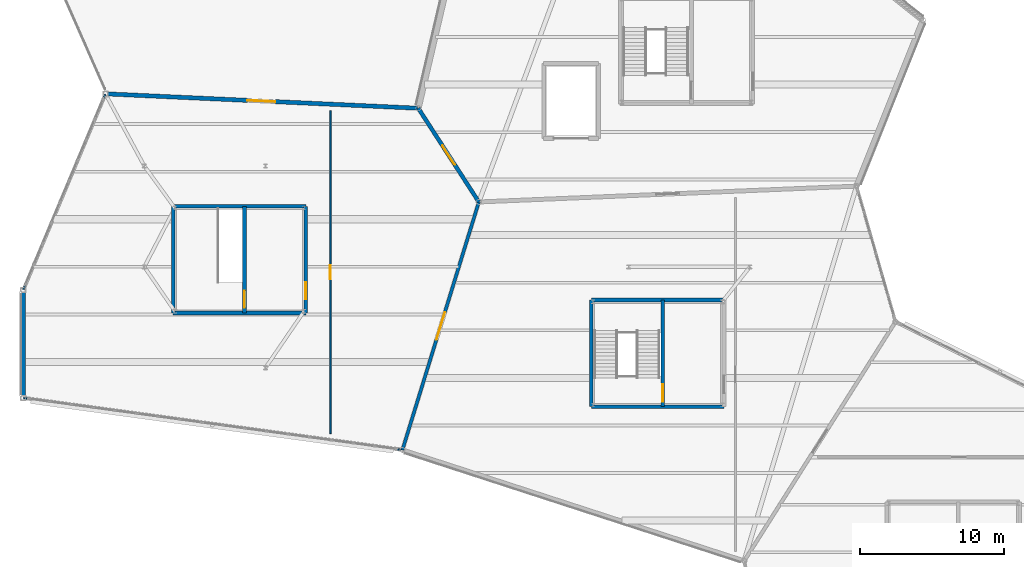
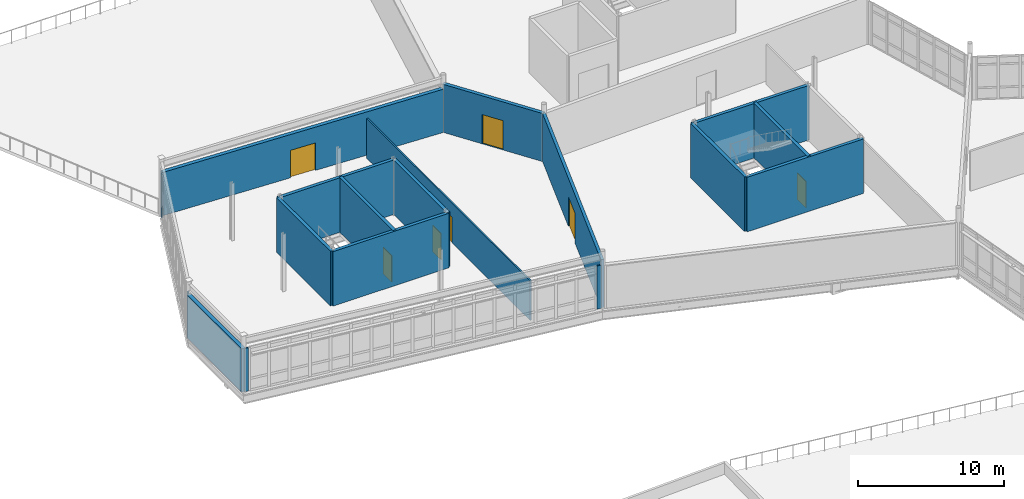
# One storey, part 93 of 114: 18 walls, 7 doors, 7 openings.
"""IFC4 building model written with IfcOpenShell, lengths in metres."""

import ifcopenshell
import ifcopenshell.guid

model = None  # the IFC model being written
_history = None  # IfcOwnerHistory: only IFC2X3 demands one
_inside = {}  # id of a spatial element -> (the spatial element, [elements in it])
_under = {}  # id of a project, library or spatial element -> (it, [spatial elements below it])
_declared = {}  # id of a project -> (the project, [libraries it declares])
_typed = {}  # id of a type object -> (the type object, [elements of that type])
_made_of = {}  # id of a material, layer set ... -> (it, [elements and type objects made of it])


def new_model(schema):
    """Start an empty IFC model of exactly this schema.

    Asked for "IFC4X3", IfcOpenShell would pick the latest addendum, in which some entities
    have other attributes; the version numbers below select the first issue.
    IFC2X3 requires an IfcOwnerHistory on every rooted entity: one is made here for all.
    """
    global model, _history
    if schema == "IFC4X3":
        model = ifcopenshell.file(schema_version=(4, 3, 0, 0))
    else:
        model = ifcopenshell.file(schema=schema)
    _inside.clear()
    _under.clear()
    _declared.clear()
    _typed.clear()
    _made_of.clear()
    _history = None
    if model.schema == "IFC2X3":
        org = make("IfcOrganization", Name="unknown")
        user = make(
            "IfcPersonAndOrganization",
            ThePerson=make("IfcPerson", FamilyName="unknown"),
            TheOrganization=org,
        )
        app = make(
            "IfcApplication",
            ApplicationDeveloper=org,
            Version="unknown",
            ApplicationFullName="unknown",
            ApplicationIdentifier="unknown",
        )
        _history = make(
            "IfcOwnerHistory",
            OwningUser=user,
            OwningApplication=app,
            ChangeAction="ADDED",
            CreationDate=0,
        )
    return model


def make(cls, **values):
    """One entity of the class cls with the attributes given. An attribute that is None is left unset."""
    return model.create_entity(
        cls, **{name: value for name, value in values.items() if value is not None}
    )


def rooted(cls, **values):
    """An entity with a GlobalId (a new one), such as an element, a storey or a relation."""
    return make(cls, GlobalId=ifcopenshell.guid.new(), OwnerHistory=_history, **values)


def si_unit(unit_type, name, prefix=None):
    """IfcSIUnit, for example si_unit("LENGTHUNIT", "METRE", prefix="MILLI")."""
    return make("IfcSIUnit", UnitType=unit_type, Prefix=prefix, Name=name)


def assignment(units):
    """IfcUnitAssignment: the units of a project."""
    return None if units is None else make("IfcUnitAssignment", Units=units)


def point(xyz):
    """IfcCartesianPoint."""
    return None if xyz is None else make("IfcCartesianPoint", Coordinates=xyz)


def direction(xyz):
    """IfcDirection."""
    return None if xyz is None else make("IfcDirection", DirectionRatios=xyz)


def frame(location, z_axis=None, x_axis=None):
    """IfcAxis2Placement3D, a coordinate frame: its origin and axes. An axis left out is left unset."""
    return make(
        "IfcAxis2Placement3D",
        Location=point(location),
        Axis=direction(z_axis),
        RefDirection=direction(x_axis),
    )


def frame_2d(location, x_axis=None):
    """IfcAxis2Placement2D, a coordinate frame in the plane: its origin and x axis."""
    return make(
        "IfcAxis2Placement2D", Location=point(location), RefDirection=direction(x_axis)
    )


def origin():
    """The frame at (0, 0, 0) with its axes left unset."""
    return frame((0.0, 0.0, 0.0))


def place(relative_to, where):
    """IfcLocalPlacement: puts the frame where relative to a parent placement (None: the world)."""
    return make(
        "IfcLocalPlacement", PlacementRelTo=relative_to, RelativePlacement=where
    )


def context(
    kind, dimensions, precision=None, world=None, true_north=None, identifier=None
):
    """IfcGeometricRepresentationContext, for example the 3D "Model" context."""
    return make(
        "IfcGeometricRepresentationContext",
        ContextIdentifier=identifier,
        ContextType=kind,
        CoordinateSpaceDimension=dimensions,
        Precision=precision,
        WorldCoordinateSystem=world,
        TrueNorth=true_north,
    )


def subcontext(parent, identifier, kind, view, scale=None):
    """IfcGeometricRepresentationSubContext, for example "Body" below "Model"."""
    return make(
        "IfcGeometricRepresentationSubContext",
        ContextIdentifier=identifier,
        ContextType=kind,
        ParentContext=parent,
        TargetScale=scale,
        TargetView=view,
    )


def project(units=None, contexts=None):
    """IfcProject with its units and contexts."""
    return rooted(
        "IfcProject",
        Name="project",
        RepresentationContexts=contexts,
        UnitsInContext=assignment(units),
    )


def spatial(cls, under=None, at=None, **own):
    """A site, building, storey or space (cls), placed at a placement, below another one or the project."""
    s = rooted(cls, ObjectPlacement=at, **own)
    if under is not None:
        _under.setdefault(under.id(), (under, []))[1].append(s)
    return s


def profile(cls, at=None, kind="AREA", **sizes):
    """A parametric profile (cls). Its sizes go by their IFC names, for example OverallWidth=200.0."""
    return make(cls, ProfileType=kind, Position=at, **sizes)


def rectangle(**sizes):
    """IfcRectangleProfileDef."""
    return profile("IfcRectangleProfileDef", **sizes)


def extrude(swept, where, along, depth):
    """IfcExtrudedAreaSolid: the profile swept, set in the frame where, extruded along a direction by depth."""
    return make(
        "IfcExtrudedAreaSolid",
        SweptArea=swept,
        Position=where,
        ExtrudedDirection=direction(along),
        Depth=depth,
    )


def shape(context_of_items, identifier, shape_type, items):
    """IfcShapeRepresentation: the items that make up one representation, for example the "Body"."""
    return make(
        "IfcShapeRepresentation",
        ContextOfItems=context_of_items,
        RepresentationIdentifier=identifier,
        RepresentationType=shape_type,
        Items=items,
    )


def material(Name=None, Category=None):
    """IfcMaterial."""
    return make("IfcMaterial", Name=Name, Category=Category)


def layer(
    of_material, thickness, ventilated=None, Name=None, Category=None, Priority=None
):
    """IfcMaterialLayer: one layer of a wall or slab, of a material (None: an air gap)."""
    return make(
        "IfcMaterialLayer",
        Material=of_material,
        LayerThickness=thickness,
        IsVentilated=ventilated,
        Name=Name,
        Category=Category,
        Priority=Priority,
    )


def layer_set(layers, Name=None):
    """IfcMaterialLayerSet."""
    return make("IfcMaterialLayerSet", MaterialLayers=layers, LayerSetName=Name)


def made_of(thing, what):
    """Note that an element or type object is made of a material, layer set ...; save() writes the relation."""
    if what is not None:
        _made_of.setdefault(what.id(), (what, []))[1].append(thing)
    return thing


def type_object(cls, material=None, **own):
    """A type object (cls), such as IfcWallType, which elements share."""
    return made_of(rooted(cls, **own), material)


def element(
    cls,
    number,
    at=None,
    inside=None,
    cuts=None,
    type_object=None,
    material=None,
    context=None,
    identifier="Body",
    shape_type=None,
    held_by="IfcProductDefinitionShape",
    body=None,
    shapes=None,
    **own,
):
    """One element of the class cls, such as IfcWall. Its Tag is "e" and its number.

    at: its placement. inside: the storey or other place that contains it. cuts: it is an
    opening in that element (IfcRelVoidsElement). A single representation is given by context,
    identifier, shape_type and body (its items); several are given by shapes. held_by: the class
    of the entity that holds the representations. save() writes the other relations.
    """
    e = rooted(cls, Tag="e%d" % number, ObjectPlacement=at, **own)
    if body is not None:
        shapes = [shape(context, identifier, shape_type, body)]
    if shapes is not None:
        e.Representation = make(held_by, Representations=shapes)
    if inside is not None:
        _inside.setdefault(inside.id(), (inside, []))[1].append(e)
    if cuts is not None:
        rooted(
            "IfcRelVoidsElement", RelatingBuildingElement=cuts, RelatedOpeningElement=e
        )
    if type_object is not None:
        _typed.setdefault(type_object.id(), (type_object, []))[1].append(e)
    return made_of(e, material)


def fill(opening, filler):
    """IfcRelFillsElement: the door or window that sits in an opening."""
    return rooted(
        "IfcRelFillsElement",
        RelatingOpeningElement=opening,
        RelatedBuildingElement=filler,
    )


def aggregate(whole, parts):
    """IfcRelAggregates: a whole, such as a stair, and the parts it consists of."""
    return rooted("IfcRelAggregates", RelatingObject=whole, RelatedObjects=parts)


def save(model, path):
    """Write the relations noted so far, then the file.

    IfcRelAggregates (storeys below a building ...), IfcRelContainedInSpatialStructure (elements
    in a storey), IfcRelDefinesByType, IfcRelAssociatesMaterial and IfcRelDeclares: one each for
    every whole, place, type object, material and project.
    """
    for whole, parts in _under.values():
        aggregate(whole, parts)
    for where, things in _inside.values():
        rooted(
            "IfcRelContainedInSpatialStructure",
            RelatedElements=things,
            RelatingStructure=where,
        )
    for kind, things in _typed.values():
        rooted("IfcRelDefinesByType", RelatedObjects=things, RelatingType=kind)
    for what, things in _made_of.values():
        rooted("IfcRelAssociatesMaterial", RelatedObjects=things, RelatingMaterial=what)
    for by, libraries in _declared.values():
        rooted("IfcRelDeclares", RelatingContext=by, RelatedDefinitions=libraries)
    model.write(path)


model = new_model("IFC4")

# Units and contexts
model_context = context("Model", 3, precision=1e-05, world=origin(), true_north=direction((0.0, 1.0)))
body_context = subcontext(model_context, "Body", "Model", "MODEL_VIEW")
ifc_project = project(units=[si_unit("LENGTHUNIT", "METRE"), si_unit("AREAUNIT", "SQUARE_METRE"), si_unit("VOLUMEUNIT", "CUBIC_METRE"), si_unit("PLANEANGLEUNIT", "RADIAN"), si_unit("MASSUNIT", "GRAM", prefix="KILO")], contexts=[model_context])

# Site, building, storey
site_placement = place(None, origin())
site = spatial("IfcSite", under=ifc_project, at=site_placement, CompositionType="ELEMENT")
building_placement = place(site_placement, origin())
building = spatial("IfcBuilding", under=site, at=building_placement, Name="Tameran Prism Museum", CompositionType="ELEMENT")
storey_placement = place(building_placement, frame((0.0, 0.0, 10.199951171875)))
storey = spatial("IfcBuildingStorey", under=building, at=storey_placement, Name="L02", CompositionType="ELEMENT", Elevation=10.199951171875)

# Walls
ifc_material_1 = material(Name="Precast Concrete N40 (40 MPa)", Category="concrete")
ifc_layer_1 = layer(ifc_material_1, 0.094970703125)
ifc_layer_set_1 = layer_set([ifc_layer_1])
wall_type_1 = type_object("IfcWallType", Name="EW-CLOS-095", PredefinedType="SOLIDWALL", material=ifc_layer_set_1)
for number, where, z_axis, x_axis, name in (
    (1, (26.198974609375, 64.31396484375, 0.0), (0.0, 0.0, 1.0), (-0.991074779294, 0.133307096014, 0.0), "Facade Corner Closure EW-0347"),
    (2, (0.346923828125, 67.85302734375, 0.0), (0.0, 0.0, 1.0), (-0.991074779294, 0.133307096014, 0.0), "Facade Corner Closure EW-0348"),
):
    element("IfcWall", number, at=place(storey_placement, frame(where, z_axis=z_axis, x_axis=x_axis)), inside=storey, type_object=wall_type_1, Name=name, PredefinedType="SOLIDWALL", context=body_context, shape_type="SweptSolid", body=[
        extrude(rectangle(XDim=0.3076171875, YDim=0.094970703125, at=frame_2d((0.15380859375, 0.0))), origin(), (0.0, 0.0, 1.0), 3.6201171875),
    ])
for number, where, z_axis, x_axis, name in (
    (3, (0.01611328125, 75.43896484375, 0.0), (0.0, 0.0, 1.0), (0.3862479465, 0.922394993387, 0.0), "Facade Corner Closure EW-0350"),
    (4, (5.56494140625, 88.677001953125, 0.0), (0.0, 0.0, 1.0), (0.386922430191, 0.922112267034, 0.0), "Facade Corner Closure EW-0351"),
):
    element("IfcWall", number, at=place(storey_placement, frame(where, z_axis=z_axis, x_axis=x_axis)), inside=storey, type_object=wall_type_1, Name=name, PredefinedType="SOLIDWALL", context=body_context, shape_type="SweptSolid", body=[
        extrude(rectangle(XDim=0.307861328125, YDim=0.094970703125, at=frame_2d((0.15380859375, 0.0))), origin(), (0.0, 0.0, 1.0), 3.6201171875),
    ])
ifc_material_2 = material(Name="Precast Concrete N40 (40 MPa)", Category="concrete")
ifc_layer_2 = layer(ifc_material_2, 0.2900390625)
ifc_layer_set_2 = layer_set([ifc_layer_2])
wall_type_2 = type_object("IfcWallType", Name="EW-FOY-290", PredefinedType="SOLIDWALL", material=ifc_layer_set_2)
wall_1_placement = place(storey_placement, frame((0.0, 67.89990234375, 0.0), z_axis=(0.0, 0.0, 1.0), x_axis=(0.0, 1.0, 0.0)))
element("IfcWall", 5, at=wall_1_placement, inside=storey, type_object=wall_type_2, Name="Exterior Fluted Precast Wall EW-0346", PredefinedType="SOLIDWALL", context=body_context, shape_type="SweptSolid", body=[
    extrude(rectangle(XDim=7.5, YDim=0.2900390625, at=frame_2d((3.75, 0.0))), origin(), (0.0, 0.0, 1.0), 3.6201171875),
])

# Wall, opening, door
wall_2_placement = place(storey_placement, frame((5.699951171875, 89.0, 0.0), z_axis=(0.0, 0.0, 1.0), x_axis=(0.998940232076, -0.046026217963, 0.0)))
wall_2 = element("IfcWall", 6, at=wall_2_placement, inside=storey, type_object=wall_type_2, Name="Exterior Fluted Precast Wall EW-0349", PredefinedType="SOLIDWALL", context=body_context, shape_type="SweptSolid", body=[
    extrude(rectangle(XDim=21.6630859375, YDim=0.2900390625, at=frame_2d((10.83154296875, 0.0))), origin(), (0.0, 0.0, 1.0), 3.6201171875),
])
opening_1_placement = place(wall_2_placement, frame((9.85595703125, 0.0, 0.0)))
opening_1 = element("IfcOpeningElement", 7, at=opening_1_placement, cuts=wall_2, Name="Opening TD-17", PredefinedType="OPENING", context=body_context, shape_type="SweptSolid", body=[
    extrude(rectangle(XDim=1.949951171875, YDim=2.300048828125, at=frame_2d((0.97509765625, 1.14990234375))), frame((0.0, 0.155029296875, 0.0), z_axis=(0.0, -1.0, 0.0), x_axis=(1.0, 0.0, 0.0)), (0.0, 0.0, 1.0), 0.31005859375),
])
ifc_material_3 = material(Name="Cyclone-Rated Anodised Aluminium 6063-T6 and Laminated Glass", Category="aluminium")
door_type_1 = type_object("IfcDoorType", Name="DR-TER-195", OperationType="DOUBLE_DOOR_SINGLE_SWING", PredefinedType="DOOR", material=ifc_material_3)
door_1_placement = place(opening_1_placement, origin())
door_1 = element("IfcDoor", 8, at=door_1_placement, inside=storey, type_object=door_type_1, Name="Terrace Access Door TD-17", OperationType="DOUBLE_DOOR_SINGLE_SWING", OverallHeight=2.300048828125, OverallWidth=1.949951171875, PredefinedType="DOOR", context=body_context, shape_type="SweptSolid", body=[
    extrude(rectangle(XDim=1.949951171875, YDim=2.300048828125, at=frame_2d((0.97509765625, 1.14990234375))), frame((0.0, 0.02490234375, 0.0), z_axis=(0.0, -1.0, 0.0), x_axis=(1.0, 0.0, 0.0)), (0.0, 0.0, 1.0), 0.050048828125),
])
fill(opening_1, door_1)

ifc_material_4 = material(Name="Concrete N40 (40 MPa)", Category="concrete")
ifc_layer_3 = layer(ifc_material_4, 0.22509765625)
ifc_layer_set_3 = layer_set([ifc_layer_3])
wall_type_3 = type_object("IfcWallType", Name="IW-CMP-225", PredefinedType="SOLIDWALL", material=ifc_layer_set_3)
wall_3_placement = place(storey_placement, frame((31.60009765625, 81.5, 0.0), z_axis=(0.0, 0.0, 1.0), x_axis=(-0.294479498062, -0.955657797133, 0.0)))
wall_3 = element("IfcWall", 9, at=wall_3_placement, inside=storey, type_object=wall_type_3, Name="Compartment Wall IW-0125", PredefinedType="SOLIDWALL", context=body_context, shape_type="SweptSolid", body=[
    extrude(rectangle(XDim=17.998046875, YDim=0.22509765625, at=frame_2d((8.9990234375, 0.0))), origin(), (0.0, 0.0, 1.0), 4.02001953125),
])
opening_2_placement = place(wall_3_placement, frame((7.9990234375, 0.0, 0.0)))
opening_2 = element("IfcOpeningElement", 10, at=opening_2_placement, cuts=wall_3, Name="Opening ID-0124", PredefinedType="OPENING", context=body_context, shape_type="SweptSolid", body=[
    extrude(rectangle(XDim=2.0, YDim=2.5, at=frame_2d((1.0, 1.25))), frame((0.0, 0.12255859375, 0.0), z_axis=(0.0, -1.0, 0.0), x_axis=(1.0, 0.0, 0.0)), (0.0, 0.0, 1.0), 0.2451171875),
])
ifc_material_5 = material(Name="Fire-Rated Steel Door Leaf and Frame", Category="steel")
door_type_2 = type_object("IfcDoorType", Name="DR-GAL-200", OperationType="DOUBLE_DOOR_SINGLE_SWING", PredefinedType="DOOR", material=ifc_material_5)
door_2_placement = place(opening_2_placement, origin())
door_2 = element("IfcDoor", 11, at=door_2_placement, inside=storey, type_object=door_type_2, Name="Compartment Door ID-0124", OperationType="DOUBLE_DOOR_SINGLE_SWING", OverallHeight=2.5, OverallWidth=2.0, PredefinedType="DOOR", context=body_context, shape_type="SweptSolid", body=[
    extrude(rectangle(XDim=2.0, YDim=2.5, at=frame_2d((1.0, 1.25))), frame((0.0, 0.02490234375, 0.0), z_axis=(0.0, -1.0, 0.0), x_axis=(1.0, 0.0, 0.0)), (0.0, 0.0, 1.0), 0.050048828125),
])
fill(opening_2, door_2)

ifc_material_6 = material(Name="Concrete N40 (40 MPa)", Category="concrete")
ifc_layer_4 = layer(ifc_material_6, 0.27490234375)
ifc_layer_set_4 = layer_set([ifc_layer_4])
wall_type_4 = type_object("IfcWallType", Name="IW-CMP-275", PredefinedType="SOLIDWALL", material=ifc_layer_set_4)
wall_4_placement = place(storey_placement, frame((27.39990234375, 88.0, 0.0), z_axis=(0.0, 0.0, 1.0), x_axis=(0.542733189748, -0.839905164138, 0.0)))
wall_4 = element("IfcWall", 12, at=wall_4_placement, inside=storey, type_object=wall_type_4, Name="Compartment Wall IW-0126", PredefinedType="SOLIDWALL", context=body_context, shape_type="SweptSolid", body=[
    extrude(rectangle(XDim=7.739013671875, YDim=0.27490234375, at=frame_2d((3.86962890625, 0.0))), origin(), (0.0, 0.0, 1.0), 4.02001953125),
])
opening_3_placement = place(wall_4_placement, frame((3.069091796875, 0.0, 0.0)))
opening_3 = element("IfcOpeningElement", 13, at=opening_3_placement, cuts=wall_4, Name="Opening ID-0125", PredefinedType="OPENING", context=body_context, shape_type="SweptSolid", body=[
    extrude(rectangle(XDim=1.60009765625, YDim=2.449951171875, at=frame_2d((0.800048828125, 1.22509765625))), frame((0.0, 0.1474609375, 0.0), z_axis=(0.0, -1.0, 0.0), x_axis=(1.0, 0.0, 0.0)), (0.0, 0.0, 1.0), 0.294921875),
])
ifc_material_7 = material(Name="Fire-Rated Steel Door Leaf and Frame", Category="steel")
door_type_3 = type_object("IfcDoorType", Name="DR-FD-240", OperationType="DOUBLE_DOOR_SINGLE_SWING", PredefinedType="DOOR", material=ifc_material_7)
door_3_placement = place(opening_3_placement, origin())
door_3 = element("IfcDoor", 14, at=door_3_placement, inside=storey, type_object=door_type_3, Name="Compartment Door ID-0125", OperationType="DOUBLE_DOOR_SINGLE_SWING", OverallHeight=2.449951171875, OverallWidth=1.60009765625, PredefinedType="DOOR", context=body_context, shape_type="SweptSolid", body=[
    extrude(rectangle(XDim=1.60009765625, YDim=2.449951171875, at=frame_2d((0.800048828125, 1.22509765625))), frame((0.0, 0.02490234375, 0.0), z_axis=(0.0, -1.0, 0.0), x_axis=(1.0, 0.0, 0.0)), (0.0, 0.0, 1.0), 0.050048828125),
])
fill(opening_3, door_3)

# Walls
ifc_material_8 = material(Name="Concrete N40 (40 MPa)", Category="concrete")
ifc_layer_5 = layer(ifc_material_8, 0.25)
ifc_layer_set_5 = layer_set([ifc_layer_5])
wall_type_5 = type_object("IfcWallType", Name="IW-COR-250", PredefinedType="SHEAR", material=ifc_layer_set_5)
wall_5_placement = place(storey_placement, frame((39.39990234375, 67.300048828125, 0.0), z_axis=(0.0, 0.0, 1.0), x_axis=(0.0, 1.0, 0.0)))
element("IfcWall", 15, at=wall_5_placement, inside=storey, type_object=wall_type_5, Name="Core Shear Wall CW-5-L02-W", PredefinedType="SHEAR", context=body_context, shape_type="SweptSolid", body=[
    extrude(rectangle(XDim=7.39990234375, YDim=0.25, at=frame_2d((3.699951171875, 0.0))), origin(), (0.0, 0.0, 1.0), 4.56005859375),
])
for number, where, z_axis, x_axis, name in (
    (16, (39.39990234375, 74.699951171875, 0.0), (0.0, 0.0, 1.0), (1.0, 0.0, 0.0), "Core Shear Wall CW-5-L02-N"),
    (17, (48.60009765625, 67.300048828125, 0.0), (0.0, 0.0, 1.0), (-1.0, 0.0, 0.0), "Core Shear Wall CW-5-L02-S"),
):
    element("IfcWall", number, at=place(storey_placement, frame(where, z_axis=z_axis, x_axis=x_axis)), inside=storey, type_object=wall_type_5, Name=name, PredefinedType="SHEAR", context=body_context, shape_type="SweptSolid", body=[
        extrude(rectangle(XDim=9.2001953125, YDim=0.25, at=frame_2d((4.60009765625, 0.0))), origin(), (0.0, 0.0, 1.0), 4.56005859375),
    ])

# Wall, opening, door
wall_6_placement = place(storey_placement, frame((44.35009765625, 74.699951171875, 0.0), z_axis=(0.0, 0.0, 1.0), x_axis=(0.0, -1.0, 0.0)))
wall_6 = element("IfcWall", 18, at=wall_6_placement, inside=storey, type_object=wall_type_5, Name="Core Shear Wall CW-5-L02-M", PredefinedType="SHEAR", context=body_context, shape_type="SweptSolid", body=[
    extrude(rectangle(XDim=7.39990234375, YDim=0.25, at=frame_2d((3.699951171875, 0.0))), origin(), (0.0, 0.0, 1.0), 4.56005859375),
])
opening_4_placement = place(wall_6_placement, frame((5.85009765625, 0.0, 0.0)))
opening_4 = element("IfcOpeningElement", 19, at=opening_4_placement, cuts=wall_6, Name="Opening FD-0250", PredefinedType="OPENING", context=body_context, shape_type="SweptSolid", body=[
    extrude(rectangle(XDim=1.199951171875, YDim=2.199951171875, at=frame_2d((0.60009765625, 1.10009765625))), frame((0.0, 0.135009765625, 0.0), z_axis=(0.0, -1.0, 0.0), x_axis=(1.0, 0.0, 0.0)), (0.0, 0.0, 1.0), 0.27001953125),
])
ifc_material_9 = material(Name="Fire-Rated Steel Door Leaf and Frame", Category="steel")
door_type_4 = type_object("IfcDoorType", Name="DR-FD-120A", OperationType="NOTDEFINED", PredefinedType="DOOR", material=ifc_material_9)
door_4_placement = place(opening_4_placement, origin())
door_4 = element("IfcDoor", 20, at=door_4_placement, inside=storey, type_object=door_type_4, Name="Core Fire Door FD-0250", OperationType="SINGLE_SWING_RIGHT", OverallHeight=2.199951171875, OverallWidth=1.199951171875, PredefinedType="DOOR", context=body_context, shape_type="SweptSolid", body=[
    extrude(rectangle(XDim=1.199951171875, YDim=2.199951171875, at=frame_2d((0.60009765625, 1.10009765625))), frame((0.0, 0.02490234375, 0.0), z_axis=(0.0, -1.0, 0.0), x_axis=(1.0, 0.0, 0.0)), (0.0, 0.0, 1.0), 0.050048828125),
])
fill(opening_4, door_4)

# Walls
wall_7_placement = place(storey_placement, frame((10.39990234375, 73.800048828125, 0.0), z_axis=(0.0, 0.0, 1.0), x_axis=(0.0, 1.0, 0.0)))
element("IfcWall", 21, at=wall_7_placement, inside=storey, type_object=wall_type_5, Name="Core Shear Wall CW-9-L02-W", PredefinedType="SHEAR", context=body_context, shape_type="SweptSolid", body=[
    extrude(rectangle(XDim=7.39990234375, YDim=0.25, at=frame_2d((3.699951171875, 0.0))), origin(), (0.0, 0.0, 1.0), 4.56005859375),
])
for number, where, z_axis, x_axis, name in (
    (22, (10.39990234375, 81.199951171875, 0.0), (0.0, 0.0, 1.0), (1.0, 0.0, 0.0), "Core Shear Wall CW-9-L02-N"),
    (23, (19.60009765625, 73.800048828125, 0.0), (0.0, 0.0, 1.0), (-1.0, 0.0, 0.0), "Core Shear Wall CW-9-L02-S"),
):
    element("IfcWall", number, at=place(storey_placement, frame(where, z_axis=z_axis, x_axis=x_axis)), inside=storey, type_object=wall_type_5, Name=name, PredefinedType="SHEAR", context=body_context, shape_type="SweptSolid", body=[
        extrude(rectangle(XDim=9.2001953125, YDim=0.25, at=frame_2d((4.60009765625, 0.0))), origin(), (0.0, 0.0, 1.0), 4.56005859375),
    ])

# Wall, opening, door
wall_8_placement = place(storey_placement, frame((19.60009765625, 81.199951171875, 0.0), z_axis=(0.0, 0.0, 1.0), x_axis=(0.0, -1.0, 0.0)))
wall_8 = element("IfcWall", 24, at=wall_8_placement, inside=storey, type_object=wall_type_5, Name="Core Shear Wall CW-9-L02-E", PredefinedType="SHEAR", context=body_context, shape_type="SweptSolid", body=[
    extrude(rectangle(XDim=7.39990234375, YDim=0.25, at=frame_2d((3.699951171875, 0.0))), origin(), (0.0, 0.0, 1.0), 4.56005859375),
])
opening_5_placement = place(wall_8_placement, frame((5.25, 0.0, 0.0)))
opening_5 = element("IfcOpeningElement", 25, at=opening_5_placement, cuts=wall_8, Name="Opening FD-0265", PredefinedType="OPENING", context=body_context, shape_type="SweptSolid", body=[
    extrude(rectangle(XDim=1.199951171875, YDim=2.199951171875, at=frame_2d((0.60009765625, 1.10009765625))), frame((0.0, 0.135009765625, 0.0), z_axis=(0.0, -1.0, 0.0), x_axis=(1.0, 0.0, 0.0)), (0.0, 0.0, 1.0), 0.27001953125),
])
door_5_placement = place(opening_5_placement, origin())
door_5 = element("IfcDoor", 26, at=door_5_placement, inside=storey, type_object=door_type_4, Name="Core Fire Door FD-0265", OperationType="SINGLE_SWING_LEFT", OverallHeight=2.199951171875, OverallWidth=1.199951171875, PredefinedType="DOOR", context=body_context, shape_type="SweptSolid", body=[
    extrude(rectangle(XDim=1.199951171875, YDim=2.199951171875, at=frame_2d((0.60009765625, 1.10009765625))), frame((0.0, 0.02490234375, 0.0), z_axis=(0.0, -1.0, 0.0), x_axis=(1.0, 0.0, 0.0)), (0.0, 0.0, 1.0), 0.050048828125),
])
fill(opening_5, door_5)

wall_9_placement = place(storey_placement, frame((15.35009765625, 81.199951171875, 0.0), z_axis=(0.0, 0.0, 1.0), x_axis=(0.0, -1.0, 0.0)))
wall_9 = element("IfcWall", 27, at=wall_9_placement, inside=storey, type_object=wall_type_5, Name="Core Shear Wall CW-9-L02-M", PredefinedType="SHEAR", context=body_context, shape_type="SweptSolid", body=[
    extrude(rectangle(XDim=7.39990234375, YDim=0.25, at=frame_2d((3.699951171875, 0.0))), origin(), (0.0, 0.0, 1.0), 4.56005859375),
])
opening_6_placement = place(wall_9_placement, frame((5.85009765625, 0.0, 0.0)))
opening_6 = element("IfcOpeningElement", 28, at=opening_6_placement, cuts=wall_9, Name="Opening FD-0266", PredefinedType="OPENING", context=body_context, shape_type="SweptSolid", body=[
    extrude(rectangle(XDim=1.199951171875, YDim=2.199951171875, at=frame_2d((0.60009765625, 1.10009765625))), frame((0.0, 0.135009765625, 0.0), z_axis=(0.0, -1.0, 0.0), x_axis=(1.0, 0.0, 0.0)), (0.0, 0.0, 1.0), 0.27001953125),
])
door_6_placement = place(opening_6_placement, origin())
door_6 = element("IfcDoor", 29, at=door_6_placement, inside=storey, type_object=door_type_4, Name="Core Fire Door FD-0266", OperationType="SINGLE_SWING_RIGHT", OverallHeight=2.199951171875, OverallWidth=1.199951171875, PredefinedType="DOOR", context=body_context, shape_type="SweptSolid", body=[
    extrude(rectangle(XDim=1.199951171875, YDim=2.199951171875, at=frame_2d((0.60009765625, 1.10009765625))), frame((0.0, 0.02490234375, 0.0), z_axis=(0.0, -1.0, 0.0), x_axis=(1.0, 0.0, 0.0)), (0.0, 0.0, 1.0), 0.050048828125),
])
fill(opening_6, door_6)

ifc_material_10 = material(Name="Store Lightweight Stud Partition")
ifc_layer_6 = layer(ifc_material_10, 0.110107421875)
ifc_layer_set_6 = layer_set([ifc_layer_6])
wall_type_6 = type_object("IfcWallType", Name="IW-PRT-110", PredefinedType="PARTITIONING", material=ifc_layer_set_6)
wall_10_placement = place(storey_placement, frame((21.298095703125, 65.43896484375, 0.0), z_axis=(0.0, 0.0, 1.0), x_axis=(0.0, 1.0, 0.0)))
wall_10 = element("IfcWall", 30, at=wall_10_placement, inside=storey, type_object=wall_type_6, Name="Internal Partition PT-0135", PredefinedType="PARTITIONING", context=body_context, shape_type="SweptSolid", body=[
    extrude(rectangle(XDim=22.39208984375, YDim=0.110107421875, at=frame_2d((11.196044921875, 0.0))), origin(), (0.0, 0.0, 1.0), 3.320068359375),
])
opening_7_placement = place(wall_10_placement, frame((10.7060546875, 0.0, 0.0)))
opening_7 = element("IfcOpeningElement", 31, at=opening_7_placement, cuts=wall_10, Name="Opening ID-0134", PredefinedType="OPENING", context=body_context, shape_type="SweptSolid", body=[
    extrude(rectangle(XDim=0.97998046875, YDim=2.14990234375, at=frame_2d((0.489990234375, 1.074951171875))), frame((0.0, 0.06494140625, 0.0), z_axis=(0.0, -1.0, 0.0), x_axis=(1.0, 0.0, 0.0)), (0.0, 0.0, 1.0), 0.130126953125),
])
ifc_material_11 = material(Name="Acoustic Solid-Core Timber Door", Category="wood")
door_type_5 = type_object("IfcDoorType", Name="DR-INT-098", OperationType="NOTDEFINED", PredefinedType="DOOR", material=ifc_material_11)
door_7_placement = place(opening_7_placement, origin())
door_7 = element("IfcDoor", 32, at=door_7_placement, inside=storey, type_object=door_type_5, Name="Interior Room Door ID-0134", OperationType="SINGLE_SWING_LEFT", OverallHeight=2.14990234375, OverallWidth=0.97998046875, PredefinedType="DOOR", context=body_context, shape_type="SweptSolid", body=[
    extrude(rectangle(XDim=0.97998046875, YDim=2.14990234375, at=frame_2d((0.489990234375, 1.074951171875))), frame((0.0, 0.02490234375, 0.0), z_axis=(0.0, -1.0, 0.0), x_axis=(1.0, 0.0, 0.0)), (0.0, 0.0, 1.0), 0.050048828125),
])
fill(opening_7, door_7)

save(model, "model.ifc")
